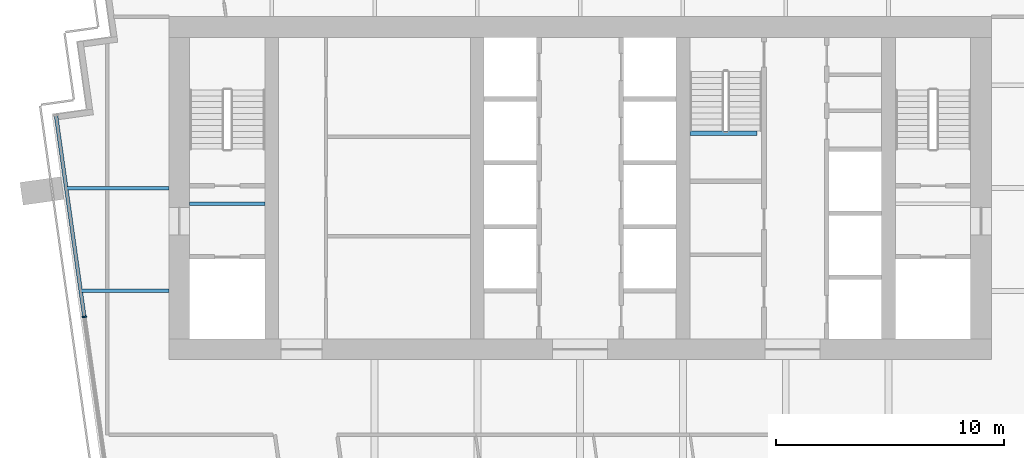
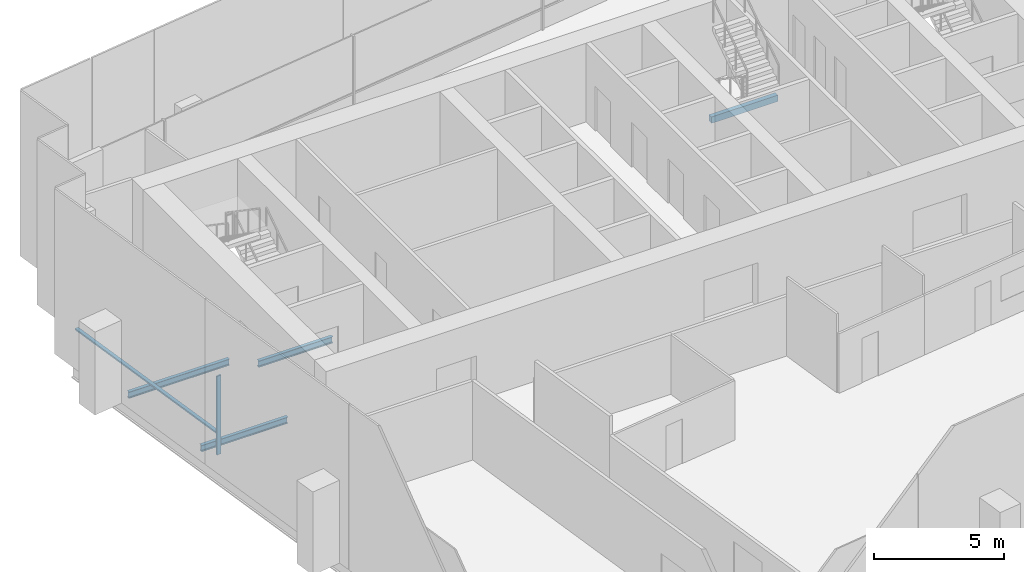
# One storey, part 4 of 17: 4 beams, 2 members, 1 element without a shape of its own.
"""IFC4 building model written with IfcOpenShell, lengths in metres."""

from ifc_helpers import new_model, si_unit, direction, frame, origin, origin_2d, place, context, subcontext, project, spatial, rectangle, i_section, extrude, material, layer, layer_set, material_profile, profile_set, type_object, element, aggregate, save


model = new_model("IFC4")

# Units and contexts
model_context = context("Model", 3, precision=1e-05, world=origin(), true_north=direction((0.0, 1.0)))
body_context = subcontext(model_context, "Body", "Model", "MODEL_VIEW")
ifc_project = project(units=[si_unit("LENGTHUNIT", "METRE"), si_unit("AREAUNIT", "SQUARE_METRE"), si_unit("VOLUMEUNIT", "CUBIC_METRE"), si_unit("PLANEANGLEUNIT", "RADIAN"), si_unit("MASSUNIT", "GRAM", prefix="KILO")], contexts=[model_context])

# Site, building, storey
site_placement = place(None, origin())
site = spatial("IfcSite", under=ifc_project, at=site_placement, CompositionType="ELEMENT")
building_placement = place(site_placement, origin())
building = spatial("IfcBuilding", under=site, at=building_placement, Name="Rattan Terrace Tower", CompositionType="ELEMENT")
storey_placement = place(building_placement, frame((0.0, 0.0, 213.5)))
storey = spatial("IfcBuildingStorey", under=building, at=storey_placement, Name="L48", CompositionType="ELEMENT", Elevation=213.5)

# Beams
ifc_material_1 = material(Name="Concrete C40/50", Category="concrete")
ifc_material_profile_1 = material_profile(ifc_material_1, rectangle(XDim=0.199951171875, YDim=0.300048828125, at=origin_2d()), Name="RC 200x300")
ifc_profile_set_1 = profile_set([ifc_material_profile_1], Name="Concrete C40/50")
beam_type_1 = type_object("IfcBeamType", Name="Core landing beam RC 200x300", PredefinedType="BEAM", material=ifc_profile_set_1)
beam_1_placement = place(storey_placement, frame((4.800048828125, 2.39990234375, 1.60009765625), z_axis=(1.0, 0.0, 0.0), x_axis=(0.0, 1.0, 0.0)))
element("IfcBeam", 1, at=beam_1_placement, inside=storey, type_object=beam_type_1, Name="st-S3-L48 landing 1 edge beam", PredefinedType="BEAM", context=body_context, shape_type="SweptSolid", body=[
    extrude(rectangle(XDim=0.199951171875, YDim=0.300048828125, at=origin_2d()), origin(), (0.0, 0.0, 1.0), 2.949951171875),
])
ifc_material_2 = material(Name="Steel S355", Category="steel")
ifc_material_profile_2 = material_profile(ifc_material_2, i_section(OverallWidth=0.14990234375, OverallDepth=0.300048828125, WebThickness=0.007080078125, FlangeThickness=0.0107421875, FilletRadius=0.014892578125, at=origin_2d()), Name="IPE 300")
ifc_profile_set_2 = profile_set([ifc_material_profile_2], Name="Steel S355")
beam_type_2 = type_object("IfcBeamType", Name="Frame floor beam IPE 300", PredefinedType="JOIST", material=ifc_profile_set_2)
beam_2_placement = place(storey_placement, frame((-17.10009765625, -0.695068359375, -0.35009765625), z_axis=(1.0, 0.0, 0.0), x_axis=(0.0, 1.0, 0.0)))
element("IfcBeam", 2, at=beam_2_placement, inside=storey, type_object=beam_type_2, Name="bm-L48-001", PredefinedType="JOIST", context=body_context, shape_type="SweptSolid", body=[
    extrude(i_section(OverallWidth=0.14990234375, OverallDepth=0.300048828125, WebThickness=0.007080078125, FlangeThickness=0.0107421875, FilletRadius=0.014892578125, at=origin_2d()), origin(), (0.0, 0.0, 1.0), 3.300048828125),
])
beam_3_placement = place(storey_placement, frame((-21.844970703125, -4.5, -0.35009765625), z_axis=(1.0, 0.0, 0.0), x_axis=(0.0, 1.0, 0.0)))
element("IfcBeam", 3, at=beam_3_placement, inside=storey, type_object=beam_type_2, Name="bm-L48-009", PredefinedType="JOIST", context=body_context, shape_type="SweptSolid", body=[
    extrude(i_section(OverallWidth=0.14990234375, OverallDepth=0.300048828125, WebThickness=0.007080078125, FlangeThickness=0.0107421875, FilletRadius=0.014892578125, at=origin_2d()), origin(), (0.0, 0.0, 1.0), 3.844970703125),
])
beam_4_placement = place(storey_placement, frame((-22.47705078125, 0.0, -0.35009765625), z_axis=(1.0, 0.0, 0.0), x_axis=(0.0, 1.0, 0.0)))
element("IfcBeam", 4, at=beam_4_placement, inside=storey, type_object=beam_type_2, Name="bm-L48-011", PredefinedType="JOIST", context=body_context, shape_type="SweptSolid", body=[
    extrude(i_section(OverallWidth=0.14990234375, OverallDepth=0.300048828125, WebThickness=0.007080078125, FlangeThickness=0.0107421875, FilletRadius=0.014892578125, at=origin_2d()), origin(), (0.0, 0.0, 1.0), 4.47705078125),
])

# Curtain wall, members
ifc_material_3 = material(Name="Aluminium and laminated glass", Category="aluminium")
ifc_layer = layer(ifc_material_3, 0.199951171875)
ifc_layer_set = layer_set([ifc_layer], Name="High-Zone Unitised Curtain Wall")
curtain_wall_type = type_object("IfcCurtainWallType", Name="High-Zone Unitised Curtain Wall", PredefinedType="NOTDEFINED", material=ifc_layer_set)
curtain_wall_placement = place(storey_placement, origin())
curtain_wall = element("IfcCurtainWall", 5, at=curtain_wall_placement, inside=storey, type_object=curtain_wall_type, Name="High-zone curtain wall L48-3", PredefinedType="NOTDEFINED")
ifc_material_4 = material(Name="Aluminium", Category="aluminium")
ifc_material_profile_3 = material_profile(ifc_material_4, rectangle(XDim=0.070068359375, YDim=0.199951171875, at=origin_2d()), Name="Aluminium 70x200")
ifc_profile_set_3 = profile_set([ifc_material_profile_3], Name="Aluminium")
member_type_1 = type_object("IfcMemberType", Name="High-Zone CW Mullion 70x200", PredefinedType="MULLION", material=ifc_profile_set_3)
member_1_placement = place(storey_placement, frame((-21.705078125, -5.638671875, 0.0), z_axis=(0.0, 0.0, 1.0), x_axis=(0.139186165309, -0.990266232579, 0.0)))
member_1 = element("IfcMember", 6, at=member_1_placement, type_object=member_type_1, Name="Mullion cwl-L48-003.2", PredefinedType="MULLION", context=body_context, shape_type="SweptSolid", body=[
    extrude(rectangle(XDim=0.070068359375, YDim=0.199951171875, at=origin_2d()), origin(), (0.0, 0.0, 1.0), 3.699951171875),
])
ifc_material_5 = material(Name="Aluminium", Category="aluminium")
ifc_material_profile_4 = material_profile(ifc_material_5, rectangle(XDim=0.159912109375, YDim=0.070068359375, at=origin_2d()), Name="Aluminium 160x70")
ifc_profile_set_4 = profile_set([ifc_material_profile_4], Name="Aluminium")
member_type_2 = type_object("IfcMemberType", Name="High-Zone CW Transom 160x70", PredefinedType="USERDEFINED", material=ifc_profile_set_4)
member_2_placement = place(storey_placement, frame((-22.941650390625, 3.159912109375, 1.0), z_axis=(0.139173253985, -0.990268047235, 0.0), x_axis=(0.990268047235, 0.139173253985, 0.0)))
member_2 = element("IfcMember", 7, at=member_2_placement, type_object=member_type_2, Name="Transom cwl-L48-003.1", ObjectType="TRANSOM", PredefinedType="USERDEFINED", context=body_context, shape_type="SweptSolid", body=[
    extrude(rectangle(XDim=0.159912109375, YDim=0.070068359375, at=origin_2d()), origin(), (0.0, 0.0, 1.0), 8.85009765625),
])
aggregate(curtain_wall, [member_1, member_2])

save(model, "model.ifc")
